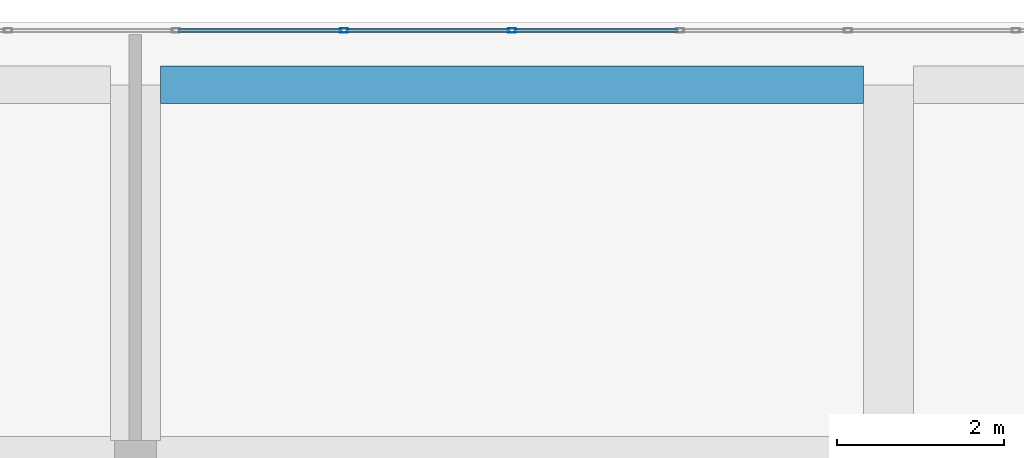
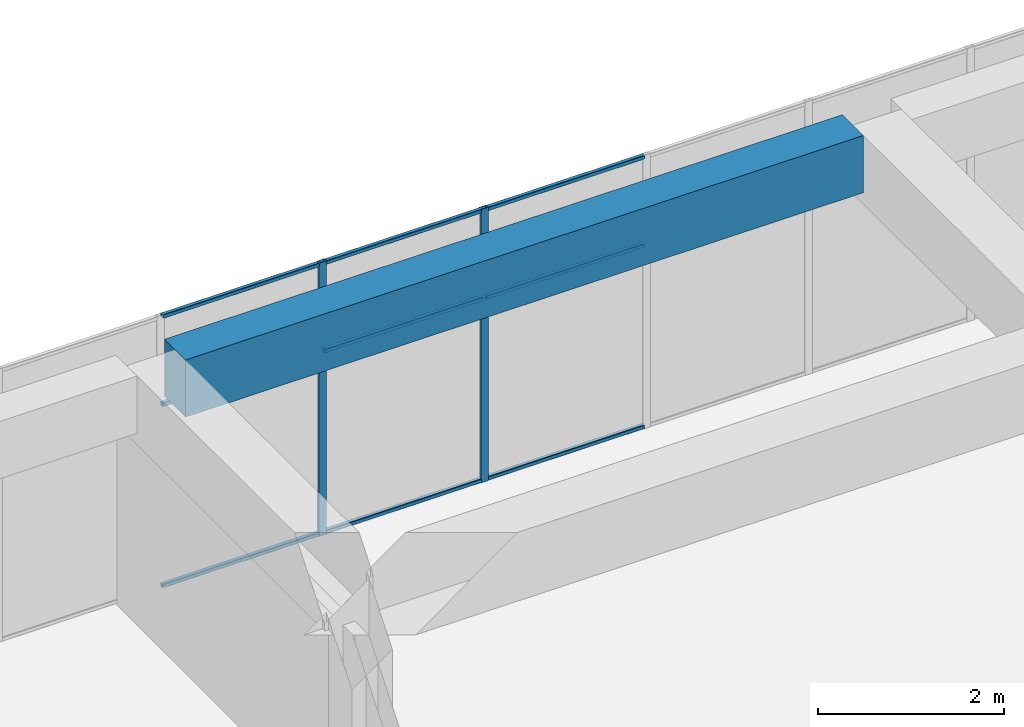
# One storey, part 24 of 36: 11 members, 1 beam, 1 element without a shape of its own.
"""IFC4 building model written with IfcOpenShell, lengths in metres."""

from ifc_helpers import new_model, si_unit, direction, frame, origin, origin_2d, place, context, subcontext, project, spatial, rectangle, hollow_rectangle, extrude, material, layer, layer_set, material_profile, profile_set, type_object, element, aggregate, save


model = new_model("IFC4")

# Units and contexts
model_context = context("Model", 3, precision=1e-05, world=origin(), true_north=direction((0.0, 1.0)))
body_context = subcontext(model_context, "Body", "Model", "MODEL_VIEW")
ifc_project = project(units=[si_unit("LENGTHUNIT", "METRE"), si_unit("AREAUNIT", "SQUARE_METRE"), si_unit("VOLUMEUNIT", "CUBIC_METRE"), si_unit("PLANEANGLEUNIT", "RADIAN"), si_unit("MASSUNIT", "GRAM", prefix="KILO")], contexts=[model_context])

# Site, building, storey
site_placement = place(None, origin())
site = spatial("IfcSite", under=ifc_project, at=site_placement, CompositionType="ELEMENT")
building_placement = place(site_placement, origin())
building = spatial("IfcBuilding", under=site, at=building_placement, Name="Tuart Plaza Theatre", CompositionType="ELEMENT")
storey_placement = place(building_placement, frame((0.0, 0.0, 61.5)))
storey = spatial("IfcBuildingStorey", under=building, at=storey_placement, Name="L15", CompositionType="ELEMENT", Elevation=61.5)

# Beam
ifc_material_1 = material(Name="Concrete N40 (40 MPa)", Category="concrete")
ifc_material_profile_1 = material_profile(ifc_material_1, rectangle(XDim=0.449951171875, YDim=0.75, at=origin_2d()), Name="BEAM 450x750 Concrete N40 (40 MPa)")
ifc_profile_set_1 = profile_set([ifc_material_profile_1], Name="Concrete N40 (40 MPa)")
beam_type = type_object("IfcBeamType", Name="BEAM 450x750 Concrete N40 (40 MPa)", PredefinedType="BEAM", material=ifc_profile_set_1)
beam_placement = place(storey_placement, frame((123.300048828125, 96.5, 3.205078125), z_axis=(1.0, 0.0, 0.0), x_axis=(0.0, 1.0, 0.0)))
element("IfcBeam", 1, at=beam_placement, inside=storey, type_object=beam_type, Name="RB332", PredefinedType="BEAM", context=body_context, shape_type="SweptSolid", body=[
    extrude(rectangle(XDim=0.449951171875, YDim=0.75, at=origin_2d()), origin(), (0.0, 0.0, 1.0), 8.39990234375),
])

# Curtain wall, members
ifc_material_2 = material(Name="Aluminium and glass", Category="aluminium")
ifc_layer = layer(ifc_material_2, 0.10009765625)
ifc_layer_set = layer_set([ifc_layer], Name="CURTAIN WALL 2000 module")
curtain_wall_type = type_object("IfcCurtainWallType", Name="CURTAIN WALL 2000 module", PredefinedType="NOTDEFINED", material=ifc_layer_set)
curtain_wall_placement = place(storey_placement, origin())
curtain_wall = element("IfcCurtainWall", 2, at=curtain_wall_placement, inside=storey, type_object=curtain_wall_type, Name="CW117", PredefinedType="NOTDEFINED")
ifc_material_3 = material(Name="Aluminium 6063-T5", Category="aluminium")
ifc_material_profile_2 = material_profile(ifc_material_3, hollow_rectangle(XDim=0.050048828125, YDim=0.10009765625, WallThickness=0.00390625, InnerFilletRadius=0.00390625, OuterFilletRadius=0.008056640625, at=origin_2d()), Name="RHS 100x50x4")
ifc_profile_set_2 = profile_set([ifc_material_profile_2], Name="Aluminium 6063-T5")
member_type_1 = type_object("IfcMemberType", Name="MULLION RHS 100x50x4", PredefinedType="MULLION", material=ifc_profile_set_2)
member_1_placement = place(storey_placement, frame((127.5, 97.14990234375, 0.0), z_axis=(0.0, 0.0, 1.0), x_axis=(0.0, -1.0, 0.0)))
member_1 = element("IfcMember", 3, at=member_1_placement, type_object=member_type_1, Name="CW117 mullion 8", PredefinedType="MULLION", context=body_context, shape_type="SweptSolid", body=[
    extrude(hollow_rectangle(XDim=0.050048828125, YDim=0.10009765625, WallThickness=0.00390625, InnerFilletRadius=0.00390625, OuterFilletRadius=0.008056640625, at=origin_2d()), origin(), (0.0, 0.0, 1.0), 3.580078125),
])
member_2_placement = place(storey_placement, frame((125.492919921875, 97.14990234375, 0.0), z_axis=(0.0, 0.0, 1.0), x_axis=(0.0, -1.0, 0.0)))
member_2 = element("IfcMember", 4, at=member_2_placement, type_object=member_type_1, Name="CW117 mullion 9", PredefinedType="MULLION", context=body_context, shape_type="SweptSolid", body=[
    extrude(hollow_rectangle(XDim=0.050048828125, YDim=0.10009765625, WallThickness=0.00390625, InnerFilletRadius=0.00390625, OuterFilletRadius=0.008056640625, at=origin_2d()), origin(), (0.0, 0.0, 1.0), 3.580078125),
])
ifc_material_4 = material(Name="Aluminium 6063-T5", Category="aluminium")
ifc_material_profile_3 = material_profile(ifc_material_4, hollow_rectangle(XDim=0.050048828125, YDim=0.050048828125, WallThickness=0.00390625, InnerFilletRadius=0.00390625, OuterFilletRadius=0.008056640625, at=origin_2d()), Name="RHS 50x50x4")
ifc_profile_set_3 = profile_set([ifc_material_profile_3], Name="Aluminium 6063-T5")
member_type_2 = type_object("IfcMemberType", Name="TRANSOM RHS 50x50x4", PredefinedType="USERDEFINED", material=ifc_profile_set_3)
member_3_placement = place(storey_placement, frame((129.482177734375, 97.14990234375, 0.02490234375), z_axis=(-1.0, 0.0, 0.0), x_axis=(0.0, -1.0, 0.0)))
member_3 = element("IfcMember", 5, at=member_3_placement, type_object=member_type_2, Name="CW117 transom 7.1", ObjectType="TRANSOM", PredefinedType="USERDEFINED", context=body_context, shape_type="SweptSolid", body=[
    extrude(hollow_rectangle(XDim=0.050048828125, YDim=0.050048828125, WallThickness=0.00390625, InnerFilletRadius=0.00390625, OuterFilletRadius=0.008056640625, at=origin_2d()), origin(), (0.0, 0.0, 1.0), 1.957275390625),
])
member_4_placement = place(storey_placement, frame((129.482177734375, 97.14990234375, 2.39990234375), z_axis=(-1.0, 0.0, 0.0), x_axis=(0.0, -1.0, 0.0)))
member_4 = element("IfcMember", 6, at=member_4_placement, type_object=member_type_2, Name="CW117 transom 7.2", ObjectType="TRANSOM", PredefinedType="USERDEFINED", context=body_context, shape_type="SweptSolid", body=[
    extrude(hollow_rectangle(XDim=0.050048828125, YDim=0.050048828125, WallThickness=0.00390625, InnerFilletRadius=0.00390625, OuterFilletRadius=0.008056640625, at=origin_2d()), origin(), (0.0, 0.0, 1.0), 1.957275390625),
])
member_5_placement = place(storey_placement, frame((129.482177734375, 97.14990234375, 3.554931640625), z_axis=(-1.0, 0.0, 0.0), x_axis=(0.0, -1.0, 0.0)))
member_5 = element("IfcMember", 7, at=member_5_placement, type_object=member_type_2, Name="CW117 transom 7.3", ObjectType="TRANSOM", PredefinedType="USERDEFINED", context=body_context, shape_type="SweptSolid", body=[
    extrude(hollow_rectangle(XDim=0.050048828125, YDim=0.050048828125, WallThickness=0.00390625, InnerFilletRadius=0.00390625, OuterFilletRadius=0.008056640625, at=origin_2d()), origin(), (0.0, 0.0, 1.0), 1.957275390625),
])
member_6_placement = place(storey_placement, frame((127.47509765625, 97.14990234375, 0.02490234375), z_axis=(-1.0, 0.0, 0.0), x_axis=(0.0, -1.0, 0.0)))
member_6 = element("IfcMember", 8, at=member_6_placement, type_object=member_type_2, Name="CW117 transom 8.1", ObjectType="TRANSOM", PredefinedType="USERDEFINED", context=body_context, shape_type="SweptSolid", body=[
    extrude(hollow_rectangle(XDim=0.050048828125, YDim=0.050048828125, WallThickness=0.00390625, InnerFilletRadius=0.00390625, OuterFilletRadius=0.008056640625, at=origin_2d()), origin(), (0.0, 0.0, 1.0), 1.957275390625),
])
member_7_placement = place(storey_placement, frame((127.47509765625, 97.14990234375, 2.39990234375), z_axis=(-1.0, 0.0, 0.0), x_axis=(0.0, -1.0, 0.0)))
member_7 = element("IfcMember", 9, at=member_7_placement, type_object=member_type_2, Name="CW117 transom 8.2", ObjectType="TRANSOM", PredefinedType="USERDEFINED", context=body_context, shape_type="SweptSolid", body=[
    extrude(hollow_rectangle(XDim=0.050048828125, YDim=0.050048828125, WallThickness=0.00390625, InnerFilletRadius=0.00390625, OuterFilletRadius=0.008056640625, at=origin_2d()), origin(), (0.0, 0.0, 1.0), 1.957275390625),
])
member_8_placement = place(storey_placement, frame((127.47509765625, 97.14990234375, 3.554931640625), z_axis=(-1.0, 0.0, 0.0), x_axis=(0.0, -1.0, 0.0)))
member_8 = element("IfcMember", 10, at=member_8_placement, type_object=member_type_2, Name="CW117 transom 8.3", ObjectType="TRANSOM", PredefinedType="USERDEFINED", context=body_context, shape_type="SweptSolid", body=[
    extrude(hollow_rectangle(XDim=0.050048828125, YDim=0.050048828125, WallThickness=0.00390625, InnerFilletRadius=0.00390625, OuterFilletRadius=0.008056640625, at=origin_2d()), origin(), (0.0, 0.0, 1.0), 1.957275390625),
])
member_9_placement = place(storey_placement, frame((125.4677734375, 97.14990234375, 0.02490234375), z_axis=(-1.0, 0.0, 0.0), x_axis=(0.0, -1.0, 0.0)))
member_9 = element("IfcMember", 11, at=member_9_placement, type_object=member_type_2, Name="CW117 transom 9.1", ObjectType="TRANSOM", PredefinedType="USERDEFINED", context=body_context, shape_type="SweptSolid", body=[
    extrude(hollow_rectangle(XDim=0.050048828125, YDim=0.050048828125, WallThickness=0.00390625, InnerFilletRadius=0.00390625, OuterFilletRadius=0.008056640625, at=origin_2d()), origin(), (0.0, 0.0, 1.0), 1.95703125),
])
member_10_placement = place(storey_placement, frame((125.4677734375, 97.14990234375, 2.39990234375), z_axis=(-1.0, 0.0, 0.0), x_axis=(0.0, -1.0, 0.0)))
member_10 = element("IfcMember", 12, at=member_10_placement, type_object=member_type_2, Name="CW117 transom 9.2", ObjectType="TRANSOM", PredefinedType="USERDEFINED", context=body_context, shape_type="SweptSolid", body=[
    extrude(hollow_rectangle(XDim=0.050048828125, YDim=0.050048828125, WallThickness=0.00390625, InnerFilletRadius=0.00390625, OuterFilletRadius=0.008056640625, at=origin_2d()), origin(), (0.0, 0.0, 1.0), 1.95703125),
])
member_11_placement = place(storey_placement, frame((125.4677734375, 97.14990234375, 3.554931640625), z_axis=(-1.0, 0.0, 0.0), x_axis=(0.0, -1.0, 0.0)))
member_11 = element("IfcMember", 13, at=member_11_placement, type_object=member_type_2, Name="CW117 transom 9.3", ObjectType="TRANSOM", PredefinedType="USERDEFINED", context=body_context, shape_type="SweptSolid", body=[
    extrude(hollow_rectangle(XDim=0.050048828125, YDim=0.050048828125, WallThickness=0.00390625, InnerFilletRadius=0.00390625, OuterFilletRadius=0.008056640625, at=origin_2d()), origin(), (0.0, 0.0, 1.0), 1.95703125),
])
aggregate(curtain_wall, [member_1, member_2, member_3, member_4, member_5, member_6, member_7, member_8, member_9, member_10, member_11])

save(model, "model.ifc")
